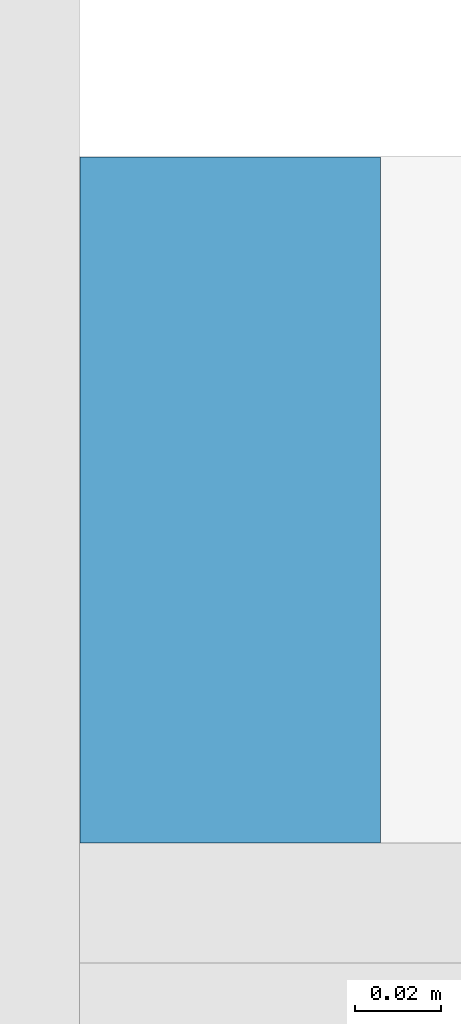
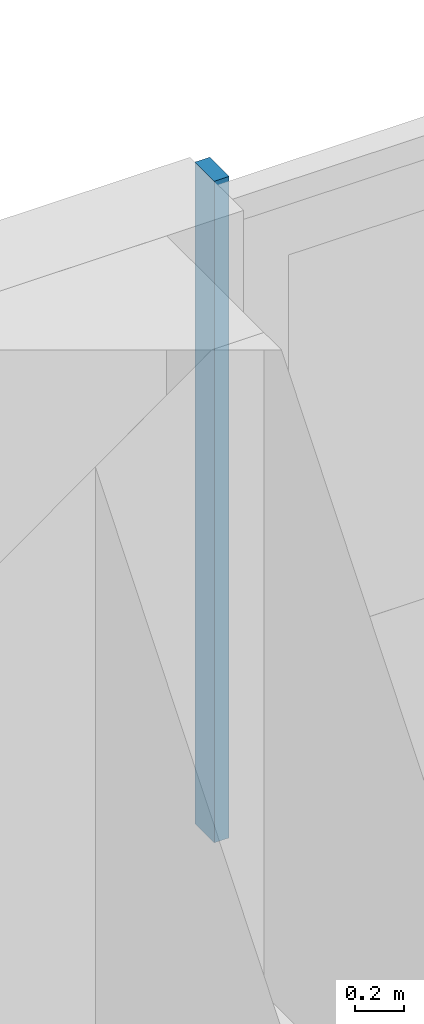
# One storey, part 10 of 28: 1 member, 1 element without a shape of its own.
"""IFC4 building model written with IfcOpenShell, lengths in metres."""

from ifc_helpers import new_model, si_unit, direction, frame, origin, origin_2d, place, context, subcontext, project, spatial, rectangle, extrude, material, material_profile, profile_set, type_object, element, aggregate, save


model = new_model("IFC4")

# Units and contexts
model_context = context("Model", 3, precision=1e-05, world=origin(), true_north=direction((0.0, 1.0)))
body_context = subcontext(model_context, "Body", "Model", "MODEL_VIEW")
ifc_project = project(units=[si_unit("LENGTHUNIT", "METRE"), si_unit("AREAUNIT", "SQUARE_METRE"), si_unit("VOLUMEUNIT", "CUBIC_METRE"), si_unit("PLANEANGLEUNIT", "RADIAN"), si_unit("MASSUNIT", "GRAM", prefix="KILO")], contexts=[model_context])

# Site, building, storey
site_placement = place(None, origin())
site = spatial("IfcSite", under=ifc_project, at=site_placement, CompositionType="ELEMENT")
building_placement = place(site_placement, origin())
building = spatial("IfcBuilding", under=site, at=building_placement, Name="Saffron Gate Tower", CompositionType="ELEMENT")
storey_placement = place(building_placement, frame((0.0, 0.0, 176.25)))
storey = spatial("IfcBuildingStorey", under=building, at=storey_placement, Name="L43", CompositionType="ELEMENT", Elevation=176.25)

# Curtain wall, member
ifc_material = material(Name="Aluminium, bronze anodised", Category="aluminium")
curtain_wall_type = type_object("IfcCurtainWallType", Name="CWS3 curtain wall rear facade", PredefinedType="NOTDEFINED", material=ifc_material)
curtain_wall_placement = place(storey_placement, origin())
curtain_wall = element("IfcCurtainWall", 1, at=curtain_wall_placement, inside=storey, type_object=curtain_wall_type, Name="CWS3 run 7", PredefinedType="NOTDEFINED")
ifc_material_profile = material_profile(ifc_material, rectangle(XDim=0.159912109375, YDim=0.070068359375, at=origin_2d()))
ifc_profile_set = profile_set([ifc_material_profile], Name="Aluminium, bronze anodised")
member_type = type_object("IfcMemberType", Name="CWS3 mullion 70x160", PredefinedType="MULLION", material=ifc_profile_set)
member_placement = place(storey_placement, frame((108.60009765625, 75.52001953125, 0.0), z_axis=(0.0, 0.0, 1.0), x_axis=(0.0, -1.0, 0.0)))
member = element("IfcMember", 2, at=member_placement, type_object=member_type, Name="CWS3 mullion 3", PredefinedType="MULLION", context=body_context, shape_type="SweptSolid", body=[
    extrude(rectangle(XDim=0.159912109375, YDim=0.070068359375, at=origin_2d()), origin(), (0.0, 0.0, 1.0), 3.320068359375),
])
aggregate(curtain_wall, [member])

save(model, "model.ifc")
